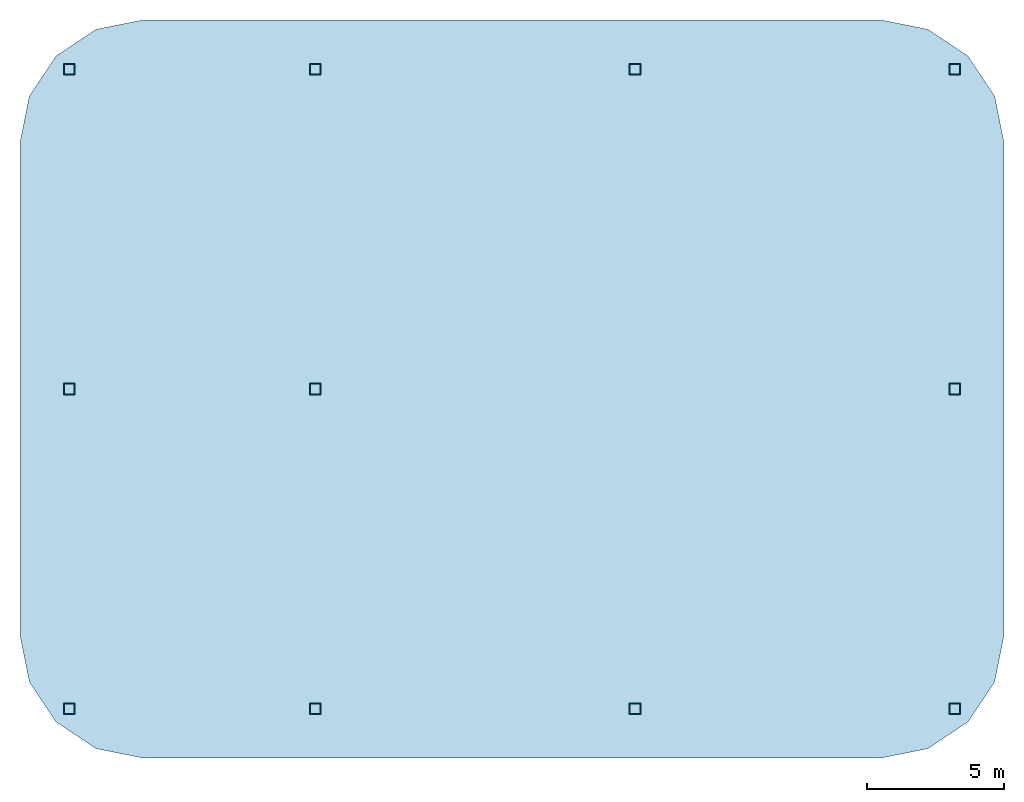
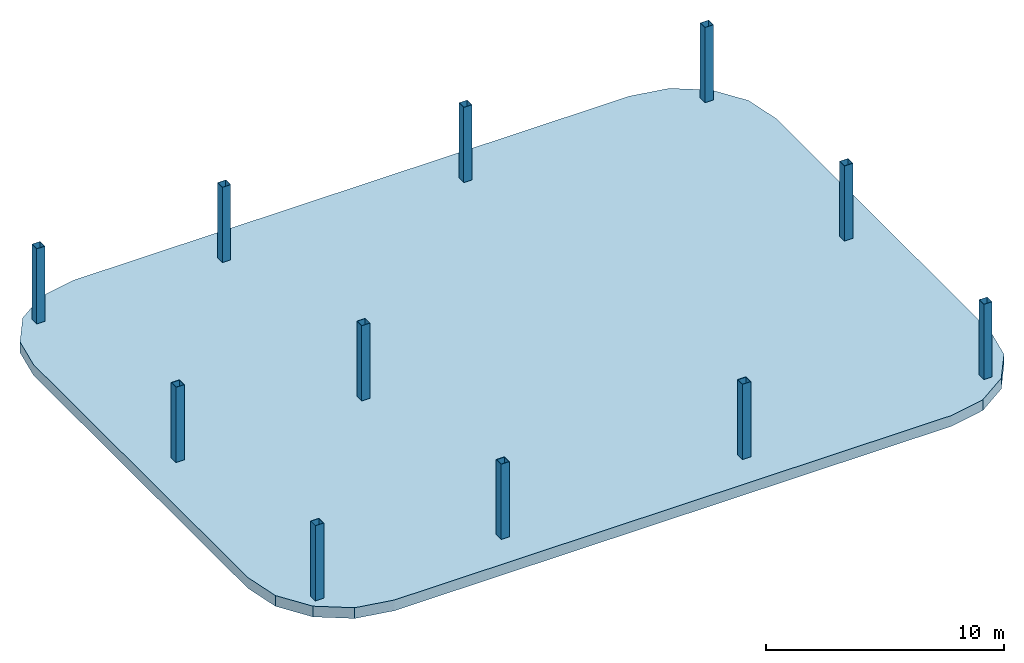
# One storey: 11 columns, 1 slab.
"""IFC4 building model written with IfcOpenShell, lengths in metres."""

from ifc_helpers import new_model, si_unit, direction, frame, origin, origin_2d, place, context, subcontext, project, spatial, polyline, hollow_rectangle, outline, extrude, material, layer, layer_set, material_profile, profile_set, type_object, element, save


model = new_model("IFC4")

# Units and contexts
model_context = context("Model", 3, precision=1e-05, world=origin(), true_north=direction((0.0, 1.0)))
body_context = subcontext(model_context, "Body", "Model", "MODEL_VIEW")
ifc_project = project(units=[si_unit("LENGTHUNIT", "METRE"), si_unit("AREAUNIT", "SQUARE_METRE"), si_unit("VOLUMEUNIT", "CUBIC_METRE"), si_unit("PLANEANGLEUNIT", "RADIAN"), si_unit("MASSUNIT", "GRAM", prefix="KILO")], contexts=[model_context])

# Site, building, storey
site_placement = place(None, origin())
site = spatial("IfcSite", under=ifc_project, at=site_placement, CompositionType="ELEMENT")
building_placement = place(site_placement, origin())
building = spatial("IfcBuilding", under=site, at=building_placement, Name="Tessera Arch", CompositionType="ELEMENT")
storey_placement = place(building_placement, frame((0.0, 0.0, 325.199951171875)))
storey = spatial("IfcBuildingStorey", under=building, at=storey_placement, Name="ROOF", CompositionType="ELEMENT", Elevation=325.199951171875)

# Columns
ifc_material_1 = material(Name="Steel A500 Gr C", Category="steel")
ifc_material_profile = material_profile(ifc_material_1, hollow_rectangle(XDim=0.406494140625, YDim=0.406494140625, WallThickness=0.0146484375, at=origin_2d()), Name="HSS16x16x5/8")
ifc_profile_set = profile_set([ifc_material_profile], Name="Steel A500 Gr C")
column_type = type_object("IfcColumnType", Name="Crown column HSS16x16x5/8", PredefinedType="COLUMN", material=ifc_profile_set)
for number, where, z_axis, x_axis, name in (
    (1, (19.800048828125, 28.800048828125, 0.0), (0.0, 0.0, 1.0), (1.0, 0.0, 0.0), "Crown column CC11"),
    (2, (19.800048828125, 40.5, 0.0), (0.0, 0.0, 1.0), (1.0, 0.0, 0.0), "Crown column CC12"),
    (3, (19.800048828125, 52.199951171875, 0.0), (0.0, 0.0, 1.0), (1.0, 0.0, 0.0), "Crown column CC13"),
    (4, (28.800048828125, 28.800048828125, 0.0), (0.0, 0.0, 1.0), (1.0, 0.0, 0.0), "Crown column CC21"),
    (5, (28.800048828125, 40.5, 0.0), (0.0, 0.0, 1.0), (1.0, 0.0, 0.0), "Crown column CC22"),
    (6, (28.800048828125, 52.199951171875, 0.0), (0.0, 0.0, 1.0), (1.0, 0.0, 0.0), "Crown column CC23"),
    (7, (40.5, 28.800048828125, 0.0), (0.0, 0.0, 1.0), (1.0, 0.0, 0.0), "Crown column CC31"),
    (8, (40.5, 52.199951171875, 0.0), (0.0, 0.0, 1.0), (1.0, 0.0, 0.0), "Crown column CC33"),
    (9, (52.199951171875, 28.800048828125, 0.0), (0.0, 0.0, 1.0), (1.0, 0.0, 0.0), "Crown column CC41"),
    (10, (52.199951171875, 40.5, 0.0), (0.0, 0.0, 1.0), (1.0, 0.0, 0.0), "Crown column CC42"),
    (11, (52.199951171875, 52.199951171875, 0.0), (0.0, 0.0, 1.0), (1.0, 0.0, 0.0), "Crown column CC43"),
):
    element("IfcColumn", number, at=place(storey_placement, frame(where, z_axis=z_axis, x_axis=x_axis)), inside=storey, type_object=column_type, Name=name, PredefinedType="COLUMN", context=body_context, shape_type="SweptSolid", body=[
        extrude(hollow_rectangle(XDim=0.406494140625, YDim=0.406494140625, WallThickness=0.0146484375, at=origin_2d()), origin(), (0.0, 0.0, 1.0), 3.85009765625),
    ])

# Slab
ifc_material_2 = material(Name="Concrete C40/50", Category="concrete")
ifc_layer = layer(ifc_material_2, 0.550048828125)
ifc_layer_set = layer_set([ifc_layer], Name="Sky garden roof slab")
slab_type = type_object("IfcSlabType", Name="Sky garden roof slab", PredefinedType="ROOF", material=ifc_layer_set)
slab_placement = place(storey_placement, frame((0.0, 0.0, -0.550048828125)))
element("IfcSlab", 12, at=slab_placement, inside=storey, type_object=slab_type, Name="Sky Garden Terrace", PredefinedType="ROOF", context=body_context, shape_type="SweptSolid", body=[
    extrude(outline(polyline([(54.0, 31.5), (54.0, 49.5), (53.657470703125, 51.22216796875), (52.681884765625, 52.681884765625), (51.22216796875, 53.657470703125), (49.5, 54.0), (22.5, 54.0), (20.77783203125, 53.657470703125), (19.318115234375, 52.681884765625), (18.342529296875, 51.22216796875), (18.0, 49.5), (18.0, 31.5), (18.342529296875, 29.77783203125), (19.318115234375, 28.318115234375), (20.77783203125, 27.342529296875), (22.5, 27.0), (49.5, 27.0), (51.22216796875, 27.342529296875), (52.681884765625, 28.318115234375), (53.657470703125, 29.77783203125), (54.0, 31.5)])), origin(), (0.0, 0.0, 1.0), 0.550048828125),
])

save(model, "model.ifc")
